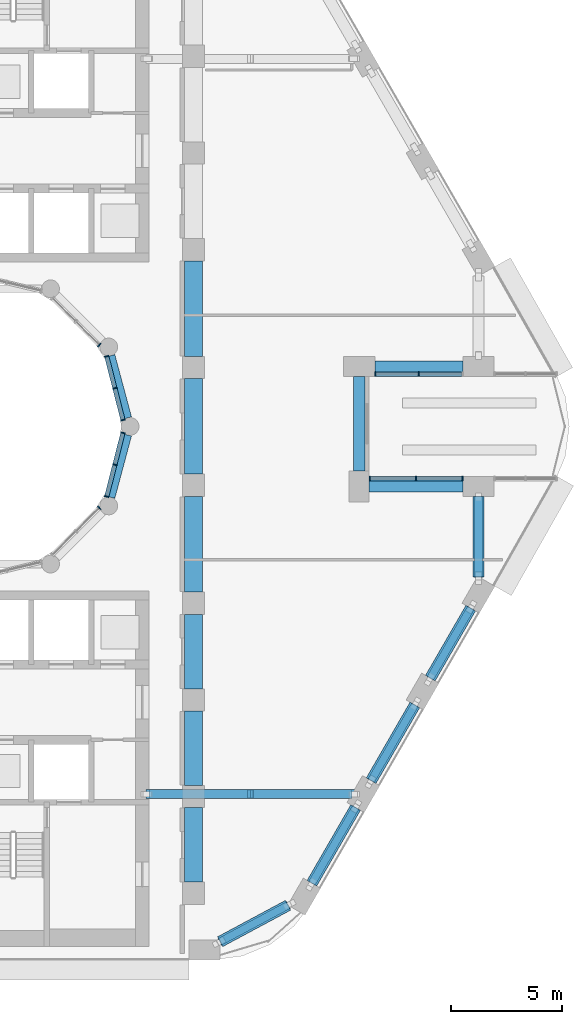
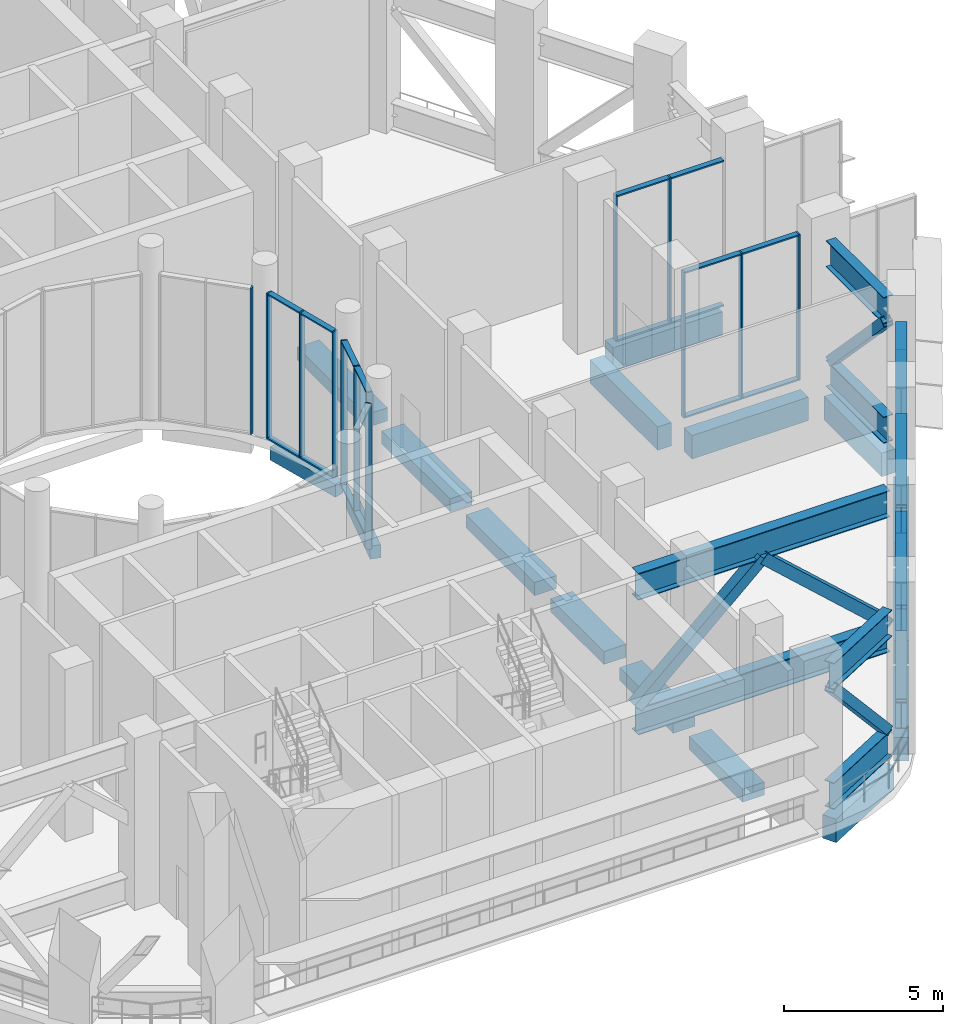
# One storey, part 4 of 21: 48 members, 16 beams, 6 elements without a shape of their own.
"""IFC4 building model written with IfcOpenShell, lengths in metres."""

from ifc_helpers import new_model, si_unit, direction, frame, origin, origin_2d, place, context, subcontext, project, spatial, rectangle, hollow_rectangle, i_section, extrude, material, layer, layer_set, material_profile, profile_set, type_object, element, aggregate, save


model = new_model("IFC4")

# Units and contexts
model_context = context("Model", 3, precision=1e-05, world=origin(), true_north=direction((0.0, 1.0)))
body_context = subcontext(model_context, "Body", "Model", "MODEL_VIEW")
ifc_project = project(units=[si_unit("LENGTHUNIT", "METRE"), si_unit("AREAUNIT", "SQUARE_METRE"), si_unit("VOLUMEUNIT", "CUBIC_METRE"), si_unit("PLANEANGLEUNIT", "RADIAN"), si_unit("MASSUNIT", "GRAM", prefix="KILO")], contexts=[model_context])

# Site, building, storey
site_placement = place(None, origin())
site = spatial("IfcSite", under=ifc_project, at=site_placement, CompositionType="ELEMENT")
building_placement = place(site_placement, origin())
building = spatial("IfcBuilding", under=site, at=building_placement, Name="Nakaniwa Court", CompositionType="ELEMENT")
storey_placement = place(building_placement, frame((0.0, 0.0, 120.60009765625)))
storey = spatial("IfcBuildingStorey", under=building, at=storey_placement, Name="S2", CompositionType="ELEMENT", Elevation=120.60009765625)

# Curtain wall, members
ifc_material_1 = material(Name="Black anodised aluminium frame with dark low-E laminated double glazing", Category="aluminium")
ifc_layer = layer(ifc_material_1, 0.199951171875)
ifc_layer_set = layer_set([ifc_layer], Name="Black anodised aluminium frame with dark low-E laminated double glazing")
curtain_wall_type = type_object("IfcCurtainWallType", Name="Amenity and sky level curtain wall", PredefinedType="NOTDEFINED", material=ifc_layer_set)
curtain_wall_1_placement = place(storey_placement, origin())
curtain_wall_1 = element("IfcCurtainWall", 1, at=curtain_wall_1_placement, inside=storey, type_object=curtain_wall_type, Name="S2 curtain wall CW3 36", PredefinedType="NOTDEFINED")
ifc_material_2 = material(Name="Black anodised aluminium extrusion", Category="aluminium")
ifc_material_profile_1 = material_profile(ifc_material_2, rectangle(XDim=0.199951171875, YDim=0.054931640625, at=origin_2d()), Name="Amenity and sky level curtain wall mullion 55x200")
ifc_profile_set_1 = profile_set([ifc_material_profile_1], Name="Black anodised aluminium extrusion")
member_type_1 = type_object("IfcMemberType", Name="Amenity and sky level curtain wall mullion 55x200", PredefinedType="MULLION", material=ifc_profile_set_1)
member_1_placement = place(storey_placement, frame((86.829345703125, 79.70947265625, 0.0), z_axis=(0.0, 0.0, 1.0), x_axis=(0.968986463302, -0.247113807661, 0.0)))
member_1 = element("IfcMember", 2, at=member_1_placement, type_object=member_type_1, Name="CW3 mullion 1", PredefinedType="MULLION", context=body_context, shape_type="SweptSolid", body=[
    extrude(rectangle(XDim=0.199951171875, YDim=0.054931640625, at=origin_2d()), origin(), (0.0, 0.0, 1.0), 5.58984375),
])
member_2_placement = place(storey_placement, frame((86.46435546875, 78.27783203125, 0.0), z_axis=(0.0, 0.0, 1.0), x_axis=(0.968986463302, -0.247113807661, 0.0)))
member_2 = element("IfcMember", 3, at=member_2_placement, type_object=member_type_1, Name="CW3 mullion 2", PredefinedType="MULLION", context=body_context, shape_type="SweptSolid", body=[
    extrude(rectangle(XDim=0.199951171875, YDim=0.054931640625, at=origin_2d()), origin(), (0.0, 0.0, 1.0), 5.58984375),
])
member_3_placement = place(storey_placement, frame((86.09912109375, 76.84619140625, 0.0), z_axis=(0.0, 0.0, 1.0), x_axis=(0.968986463302, -0.247113807661, 0.0)))
member_3 = element("IfcMember", 4, at=member_3_placement, type_object=member_type_1, Name="CW3 mullion 3", PredefinedType="MULLION", context=body_context, shape_type="SweptSolid", body=[
    extrude(rectangle(XDim=0.199951171875, YDim=0.054931640625, at=origin_2d()), origin(), (0.0, 0.0, 1.0), 5.58984375),
])

# Curtain wall, member
curtain_wall_2_placement = place(storey_placement, origin())
curtain_wall_2 = element("IfcCurtainWall", 5, at=curtain_wall_2_placement, inside=storey, type_object=curtain_wall_type, Name="S2 curtain wall CW3 37", PredefinedType="NOTDEFINED")
member_4_placement = place(storey_placement, frame((85.7685546875, 76.33740234375, 0.0), z_axis=(0.0, 0.0, 1.0), x_axis=(0.707106781187, -0.707106781187, 0.0)))
member_4 = element("IfcMember", 6, at=member_4_placement, type_object=member_type_1, Name="CW3 mullion 1", PredefinedType="MULLION", context=body_context, shape_type="SweptSolid", body=[
    extrude(rectangle(XDim=0.199951171875, YDim=0.054931640625, at=origin_2d()), origin(), (0.0, 0.0, 1.0), 5.58984375),
])
aggregate(curtain_wall_2, [member_4])

curtain_wall_3_placement = place(storey_placement, origin())
curtain_wall_3 = element("IfcCurtainWall", 7, at=curtain_wall_3_placement, inside=storey, type_object=curtain_wall_type, Name="S2 curtain wall CW3 46", PredefinedType="NOTDEFINED")
member_5_placement = place(storey_placement, frame((85.7685546875, 83.66259765625, 0.0), z_axis=(0.0, 0.0, 1.0), x_axis=(0.707106781187, 0.707106781187, 0.0)))
member_5 = element("IfcMember", 8, at=member_5_placement, type_object=member_type_1, Name="CW3 mullion 3", PredefinedType="MULLION", context=body_context, shape_type="SweptSolid", body=[
    extrude(rectangle(XDim=0.199951171875, YDim=0.054931640625, at=origin_2d()), origin(), (0.0, 0.0, 1.0), 5.58984375),
])
aggregate(curtain_wall_3, [member_5])

# Curtain wall, members
curtain_wall_4_placement = place(storey_placement, origin())
curtain_wall_4 = element("IfcCurtainWall", 9, at=curtain_wall_4_placement, inside=storey, type_object=curtain_wall_type, Name="S2 curtain wall CW3 47", PredefinedType="NOTDEFINED")
member_6_placement = place(storey_placement, frame((86.09912109375, 83.15380859375, 0.0), z_axis=(0.0, 0.0, 1.0), x_axis=(0.968986463302, 0.247113807661, 0.0)))
member_6 = element("IfcMember", 10, at=member_6_placement, type_object=member_type_1, Name="CW3 mullion 1", PredefinedType="MULLION", context=body_context, shape_type="SweptSolid", body=[
    extrude(rectangle(XDim=0.199951171875, YDim=0.054931640625, at=origin_2d()), origin(), (0.0, 0.0, 1.0), 5.58984375),
])
member_7_placement = place(storey_placement, frame((86.46435546875, 81.72216796875, 0.0), z_axis=(0.0, 0.0, 1.0), x_axis=(0.968986463302, 0.247113807661, 0.0)))
member_7 = element("IfcMember", 11, at=member_7_placement, type_object=member_type_1, Name="CW3 mullion 2", PredefinedType="MULLION", context=body_context, shape_type="SweptSolid", body=[
    extrude(rectangle(XDim=0.199951171875, YDim=0.054931640625, at=origin_2d()), origin(), (0.0, 0.0, 1.0), 5.58984375),
])
member_8_placement = place(storey_placement, frame((86.829345703125, 80.29052734375, 0.0), z_axis=(0.0, 0.0, 1.0), x_axis=(0.968986463302, 0.247113807661, 0.0)))
member_8 = element("IfcMember", 12, at=member_8_placement, type_object=member_type_1, Name="CW3 mullion 3", PredefinedType="MULLION", context=body_context, shape_type="SweptSolid", body=[
    extrude(rectangle(XDim=0.199951171875, YDim=0.054931640625, at=origin_2d()), origin(), (0.0, 0.0, 1.0), 5.58984375),
])

curtain_wall_5_placement = place(storey_placement, origin())
curtain_wall_5 = element("IfcCurtainWall", 13, at=curtain_wall_5_placement, inside=storey, type_object=curtain_wall_type, Name="S2 curtain wall CW3 00", PredefinedType="NOTDEFINED")
member_9_placement = place(storey_placement, frame((98.181884765625, 82.35009765625, 0.0), z_axis=(0.0, 0.0, 1.0), x_axis=(0.0, 1.0, 0.0)))
member_9 = element("IfcMember", 14, at=member_9_placement, type_object=member_type_1, Name="CW3 mullion 1", PredefinedType="MULLION", context=body_context, shape_type="SweptSolid", body=[
    extrude(rectangle(XDim=0.199951171875, YDim=0.054931640625, at=origin_2d()), origin(), (0.0, 0.0, 1.0), 5.58984375),
])
member_10_placement = place(storey_placement, frame((100.140625, 82.35009765625, 0.0), z_axis=(0.0, 0.0, 1.0), x_axis=(0.0, 1.0, 0.0)))
member_10 = element("IfcMember", 15, at=member_10_placement, type_object=member_type_1, Name="CW3 mullion 2", PredefinedType="MULLION", context=body_context, shape_type="SweptSolid", body=[
    extrude(rectangle(XDim=0.199951171875, YDim=0.054931640625, at=origin_2d()), origin(), (0.0, 0.0, 1.0), 5.58984375),
])

curtain_wall_6_placement = place(storey_placement, origin())
curtain_wall_6 = element("IfcCurtainWall", 16, at=curtain_wall_6_placement, inside=storey, type_object=curtain_wall_type, Name="S2 curtain wall CW3 34", PredefinedType="NOTDEFINED")
member_11_placement = place(storey_placement, frame((102.099365234375, 77.64990234375, 0.0), z_axis=(0.0, 0.0, 1.0), x_axis=(0.0, -1.0, 0.0)))
member_11 = element("IfcMember", 17, at=member_11_placement, type_object=member_type_1, Name="CW3 mullion 1", PredefinedType="MULLION", context=body_context, shape_type="SweptSolid", body=[
    extrude(rectangle(XDim=0.199951171875, YDim=0.054931640625, at=origin_2d()), origin(), (0.0, 0.0, 1.0), 5.58984375),
])
member_12_placement = place(storey_placement, frame((100.015625, 77.64990234375, 0.0), z_axis=(0.0, 0.0, 1.0), x_axis=(0.0, -1.0, 0.0)))
member_12 = element("IfcMember", 18, at=member_12_placement, type_object=member_type_1, Name="CW3 mullion 2", PredefinedType="MULLION", context=body_context, shape_type="SweptSolid", body=[
    extrude(rectangle(XDim=0.199951171875, YDim=0.054931640625, at=origin_2d()), origin(), (0.0, 0.0, 1.0), 5.58984375),
])
member_13_placement = place(storey_placement, frame((97.931884765625, 77.64990234375, 0.0), z_axis=(0.0, 0.0, 1.0), x_axis=(0.0, -1.0, 0.0)))
member_13 = element("IfcMember", 19, at=member_13_placement, type_object=member_type_1, Name="CW3 mullion 3", PredefinedType="MULLION", context=body_context, shape_type="SweptSolid", body=[
    extrude(rectangle(XDim=0.199951171875, YDim=0.054931640625, at=origin_2d()), origin(), (0.0, 0.0, 1.0), 5.58984375),
])

# Member
ifc_material_profile_2 = material_profile(ifc_material_2, rectangle(XDim=0.199951171875, YDim=0.054931640625, at=origin_2d()), Name="Amenity and sky level curtain wall transom 55x200")
ifc_profile_set_2 = profile_set([ifc_material_profile_2], Name="Black anodised aluminium extrusion")
member_type_2 = type_object("IfcMemberType", Name="Amenity and sky level curtain wall transom 55x200", PredefinedType="USERDEFINED", material=ifc_profile_set_2)
member_14_placement = place(storey_placement, frame((86.822509765625, 79.682861328125, 0.02734375), z_axis=(-0.24697526524, -0.969021784255, 0.0), x_axis=(0.969021784255, -0.24697526524, 0.0)))
member_14 = element("IfcMember", 20, at=member_14_placement, type_object=member_type_2, Name="CW3 transom 1.1", ObjectType="TRANSOM", PredefinedType="USERDEFINED", context=body_context, shape_type="SweptSolid", body=[
    extrude(rectangle(XDim=0.199951171875, YDim=0.054931640625, at=origin_2d()), origin(), (0.0, 0.0, 1.0), 1.42236328125),
])

member_15_placement = place(storey_placement, frame((86.822509765625, 79.682861328125, 5.5625), z_axis=(-0.24697526524, -0.969021784255, 0.0), x_axis=(0.969021784255, -0.24697526524, 0.0)))
member_15 = element("IfcMember", 21, at=member_15_placement, type_object=member_type_2, Name="CW3 transom 1.2", ObjectType="TRANSOM", PredefinedType="USERDEFINED", context=body_context, shape_type="SweptSolid", body=[
    extrude(rectangle(XDim=0.199951171875, YDim=0.054931640625, at=origin_2d()), origin(), (0.0, 0.0, 1.0), 1.42236328125),
])

member_16_placement = place(storey_placement, frame((86.45751953125, 78.251220703125, 0.02734375), z_axis=(-0.247136415914, -0.968980697398, 0.0), x_axis=(0.968980697398, -0.247136415914, 0.0)))
member_16 = element("IfcMember", 22, at=member_16_placement, type_object=member_type_2, Name="CW3 transom 2.1", ObjectType="TRANSOM", PredefinedType="USERDEFINED", context=body_context, shape_type="SweptSolid", body=[
    extrude(rectangle(XDim=0.199951171875, YDim=0.054931640625, at=origin_2d()), origin(), (0.0, 0.0, 1.0), 1.422607421875),
])

member_17_placement = place(storey_placement, frame((86.45751953125, 78.251220703125, 5.5625), z_axis=(-0.247136415914, -0.968980697398, 0.0), x_axis=(0.968980697398, -0.247136415914, 0.0)))
member_17 = element("IfcMember", 23, at=member_17_placement, type_object=member_type_2, Name="CW3 transom 2.2", ObjectType="TRANSOM", PredefinedType="USERDEFINED", context=body_context, shape_type="SweptSolid", body=[
    extrude(rectangle(XDim=0.199951171875, YDim=0.054931640625, at=origin_2d()), origin(), (0.0, 0.0, 1.0), 1.422607421875),
])

aggregate(curtain_wall_1, [member_1, member_2, member_3, member_14, member_15, member_16, member_17])

member_18_placement = place(storey_placement, frame((86.10595703125, 83.127197265625, 0.02734375), z_axis=(0.247136415914, -0.968980697398, 0.0), x_axis=(0.968980697398, 0.247136415914, 0.0)))
member_18 = element("IfcMember", 24, at=member_18_placement, type_object=member_type_2, Name="CW3 transom 1.1", ObjectType="TRANSOM", PredefinedType="USERDEFINED", context=body_context, shape_type="SweptSolid", body=[
    extrude(rectangle(XDim=0.199951171875, YDim=0.054931640625, at=origin_2d()), origin(), (0.0, 0.0, 1.0), 1.422607421875),
])

member_19_placement = place(storey_placement, frame((86.10595703125, 83.127197265625, 5.5625), z_axis=(0.247136415914, -0.968980697398, 0.0), x_axis=(0.968980697398, 0.247136415914, 0.0)))
member_19 = element("IfcMember", 25, at=member_19_placement, type_object=member_type_2, Name="CW3 transom 1.2", ObjectType="TRANSOM", PredefinedType="USERDEFINED", context=body_context, shape_type="SweptSolid", body=[
    extrude(rectangle(XDim=0.199951171875, YDim=0.054931640625, at=origin_2d()), origin(), (0.0, 0.0, 1.0), 1.422607421875),
])

member_20_placement = place(storey_placement, frame((86.47119140625, 81.695556640625, 0.02734375), z_axis=(0.24697526524, -0.969021784255, 0.0), x_axis=(0.969021784255, 0.24697526524, 0.0)))
member_20 = element("IfcMember", 26, at=member_20_placement, type_object=member_type_2, Name="CW3 transom 2.1", ObjectType="TRANSOM", PredefinedType="USERDEFINED", context=body_context, shape_type="SweptSolid", body=[
    extrude(rectangle(XDim=0.199951171875, YDim=0.054931640625, at=origin_2d()), origin(), (0.0, 0.0, 1.0), 1.42236328125),
])

member_21_placement = place(storey_placement, frame((86.47119140625, 81.695556640625, 5.5625), z_axis=(0.24697526524, -0.969021784255, 0.0), x_axis=(0.969021784255, 0.24697526524, 0.0)))
member_21 = element("IfcMember", 27, at=member_21_placement, type_object=member_type_2, Name="CW3 transom 2.2", ObjectType="TRANSOM", PredefinedType="USERDEFINED", context=body_context, shape_type="SweptSolid", body=[
    extrude(rectangle(XDim=0.199951171875, YDim=0.054931640625, at=origin_2d()), origin(), (0.0, 0.0, 1.0), 1.42236328125),
])

aggregate(curtain_wall_4, [member_6, member_7, member_8, member_18, member_19, member_20, member_21])

member_22_placement = place(storey_placement, frame((98.20947265625, 82.35009765625, 0.02734375), z_axis=(1.0, 0.0, 0.0), x_axis=(0.0, 1.0, 0.0)))
member_22 = element("IfcMember", 28, at=member_22_placement, type_object=member_type_2, Name="CW3 transom 1.1", ObjectType="TRANSOM", PredefinedType="USERDEFINED", context=body_context, shape_type="SweptSolid", body=[
    extrude(rectangle(XDim=0.199951171875, YDim=0.054931640625, at=origin_2d()), origin(), (0.0, 0.0, 1.0), 1.903564453125),
])

member_23_placement = place(storey_placement, frame((98.20947265625, 82.35009765625, 5.5625), z_axis=(1.0, 0.0, 0.0), x_axis=(0.0, 1.0, 0.0)))
member_23 = element("IfcMember", 29, at=member_23_placement, type_object=member_type_2, Name="CW3 transom 1.2", ObjectType="TRANSOM", PredefinedType="USERDEFINED", context=body_context, shape_type="SweptSolid", body=[
    extrude(rectangle(XDim=0.199951171875, YDim=0.054931640625, at=origin_2d()), origin(), (0.0, 0.0, 1.0), 1.903564453125),
])

member_24_placement = place(storey_placement, frame((100.168212890625, 82.35009765625, 0.02734375), z_axis=(1.0, 0.0, 0.0), x_axis=(0.0, 1.0, 0.0)))
member_24 = element("IfcMember", 30, at=member_24_placement, type_object=member_type_2, Name="CW3 transom 2.1", ObjectType="TRANSOM", PredefinedType="USERDEFINED", context=body_context, shape_type="SweptSolid", body=[
    extrude(rectangle(XDim=0.199951171875, YDim=0.054931640625, at=origin_2d()), origin(), (0.0, 0.0, 1.0), 1.90380859375),
])

member_25_placement = place(storey_placement, frame((100.168212890625, 82.35009765625, 5.5625), z_axis=(1.0, 0.0, 0.0), x_axis=(0.0, 1.0, 0.0)))
member_25 = element("IfcMember", 31, at=member_25_placement, type_object=member_type_2, Name="CW3 transom 2.2", ObjectType="TRANSOM", PredefinedType="USERDEFINED", context=body_context, shape_type="SweptSolid", body=[
    extrude(rectangle(XDim=0.199951171875, YDim=0.054931640625, at=origin_2d()), origin(), (0.0, 0.0, 1.0), 1.90380859375),
])

aggregate(curtain_wall_5, [member_9, member_10, member_22, member_23, member_24, member_25])

member_26_placement = place(storey_placement, frame((102.072021484375, 77.64990234375, 0.02734375), z_axis=(-1.0, 0.0, 0.0), x_axis=(0.0, -1.0, 0.0)))
member_26 = element("IfcMember", 32, at=member_26_placement, type_object=member_type_2, Name="CW3 transom 1.1", ObjectType="TRANSOM", PredefinedType="USERDEFINED", context=body_context, shape_type="SweptSolid", body=[
    extrude(rectangle(XDim=0.199951171875, YDim=0.054931640625, at=origin_2d()), origin(), (0.0, 0.0, 1.0), 2.02880859375),
])

member_27_placement = place(storey_placement, frame((102.072021484375, 77.64990234375, 5.5625), z_axis=(-1.0, 0.0, 0.0), x_axis=(0.0, -1.0, 0.0)))
member_27 = element("IfcMember", 33, at=member_27_placement, type_object=member_type_2, Name="CW3 transom 1.2", ObjectType="TRANSOM", PredefinedType="USERDEFINED", context=body_context, shape_type="SweptSolid", body=[
    extrude(rectangle(XDim=0.199951171875, YDim=0.054931640625, at=origin_2d()), origin(), (0.0, 0.0, 1.0), 2.02880859375),
])

member_28_placement = place(storey_placement, frame((99.988037109375, 77.64990234375, 0.02734375), z_axis=(-1.0, 0.0, 0.0), x_axis=(0.0, -1.0, 0.0)))
member_28 = element("IfcMember", 34, at=member_28_placement, type_object=member_type_2, Name="CW3 transom 2.1", ObjectType="TRANSOM", PredefinedType="USERDEFINED", context=body_context, shape_type="SweptSolid", body=[
    extrude(rectangle(XDim=0.199951171875, YDim=0.054931640625, at=origin_2d()), origin(), (0.0, 0.0, 1.0), 2.028564453125),
])

member_29_placement = place(storey_placement, frame((99.988037109375, 77.64990234375, 5.5625), z_axis=(-1.0, 0.0, 0.0), x_axis=(0.0, -1.0, 0.0)))
member_29 = element("IfcMember", 35, at=member_29_placement, type_object=member_type_2, Name="CW3 transom 2.2", ObjectType="TRANSOM", PredefinedType="USERDEFINED", context=body_context, shape_type="SweptSolid", body=[
    extrude(rectangle(XDim=0.199951171875, YDim=0.054931640625, at=origin_2d()), origin(), (0.0, 0.0, 1.0), 2.028564453125),
])

aggregate(curtain_wall_6, [member_11, member_12, member_13, member_26, member_27, member_28, member_29])

# Members
ifc_material_3 = material(Name="Steel Grade 350", Category="steel")
ifc_material_profile_3 = material_profile(ifc_material_3, i_section(OverallWidth=0.35009765625, OverallDepth=1.010009765625, WebThickness=0.01611328125, FlangeThickness=0.02490234375, at=origin_2d()), Name="1000WB258")
ifc_profile_set_3 = profile_set([ifc_material_profile_3], Name="Steel Grade 350")
member_type_3 = type_object("IfcMemberType", Name="BELT chord 1000 WB258", PredefinedType="CHORD", material=ifc_profile_set_3)
for number, where, z_axis, x_axis, name in (
    (36, (91.20703125, 56.825439453125, 0.5048828125), (0.881233381314, 0.472681423009, 0.0), (-0.472681423009, 0.881233381314, 0.0), "BELT CHORD BT-12-B"),
    (37, (91.20703125, 56.825439453125, 5.0849609375), (0.881233381314, 0.472681423009, 0.0), (-0.472681423009, 0.881233381314, 0.0), "BELT CHORD BT-12-T"),
):
    element("IfcMember", number, at=place(storey_placement, frame(where, z_axis=z_axis, x_axis=x_axis)), inside=storey, type_object=member_type_3, Name=name, PredefinedType="CHORD", context=body_context, shape_type="SweptSolid", body=[
        extrude(i_section(OverallWidth=0.35009765625, OverallDepth=1.010009765625, WebThickness=0.01611328125, FlangeThickness=0.02490234375, at=origin_2d()), origin(), (0.0, 0.0, 1.0), 3.46044921875),
    ])
for number, where, z_axis, x_axis, name in (
    (38, (95.33251953125, 59.456787109375, 0.5048828125), (0.49999161165, 0.866030246746, 0.0), (-0.866030246746, 0.49999161165, 0.0), "BELT CHORD BT-13-B"),
    (39, (95.33251953125, 59.456787109375, 5.0849609375), (0.49999161165, 0.866030246746, 0.0), (-0.866030246746, 0.49999161165, 0.0), "BELT CHORD BT-13-T"),
    (40, (97.99560546875, 64.069091796875, 0.5048828125), (0.49999161165, 0.866030246746, 0.0), (-0.866030246746, 0.49999161165, 0.0), "BELT CHORD BT-14-B"),
    (41, (97.99560546875, 64.069091796875, 5.0849609375), (0.49999161165, 0.866030246746, 0.0), (-0.866030246746, 0.49999161165, 0.0), "BELT CHORD BT-14-T"),
):
    element("IfcMember", number, at=place(storey_placement, frame(where, z_axis=z_axis, x_axis=x_axis)), inside=storey, type_object=member_type_3, Name=name, PredefinedType="CHORD", context=body_context, shape_type="SweptSolid", body=[
        extrude(i_section(OverallWidth=0.35009765625, OverallDepth=1.010009765625, WebThickness=0.01611328125, FlangeThickness=0.02490234375, at=origin_2d()), origin(), (0.0, 0.0, 1.0), 3.92578125),
    ])
for number, where, z_axis, x_axis, name in (
    (42, (100.658447265625, 68.681396484375, 0.5048828125), (0.499988394233, 0.866032104273, 0.0), (-0.866032104273, 0.499988394233, 0.0), "BELT CHORD BT-15-B"),
    (43, (100.658447265625, 68.681396484375, 5.0849609375), (0.499988394233, 0.866032104273, 0.0), (-0.866032104273, 0.499988394233, 0.0), "BELT CHORD BT-15-T"),
):
    element("IfcMember", number, at=place(storey_placement, frame(where, z_axis=z_axis, x_axis=x_axis)), inside=storey, type_object=member_type_3, Name=name, PredefinedType="CHORD", context=body_context, shape_type="SweptSolid", body=[
        extrude(i_section(OverallWidth=0.35009765625, OverallDepth=1.010009765625, WebThickness=0.01611328125, FlangeThickness=0.02490234375, at=origin_2d()), origin(), (0.0, 0.0, 1.0), 3.62890625),
    ])
for number, where, z_axis, x_axis, name in (
    (44, (102.822998046875, 73.238525390625, 0.5048828125), (0.0, 1.0, 0.0), (-1.0, 0.0, 0.0), "BELT CHORD BT-16-B"),
    (45, (102.822998046875, 73.238525390625, 5.0849609375), (0.0, 1.0, 0.0), (-1.0, 0.0, 0.0), "BELT CHORD BT-16-T"),
):
    element("IfcMember", number, at=place(storey_placement, frame(where, z_axis=z_axis, x_axis=x_axis)), inside=storey, type_object=member_type_3, Name=name, PredefinedType="CHORD", context=body_context, shape_type="SweptSolid", body=[
        extrude(i_section(OverallWidth=0.35009765625, OverallDepth=1.010009765625, WebThickness=0.01611328125, FlangeThickness=0.02490234375, at=origin_2d()), origin(), (0.0, 0.0, 1.0), 3.611572265625),
    ])
ifc_material_profile_4 = material_profile(ifc_material_3, hollow_rectangle(XDim=0.35009765625, YDim=0.35009765625, WallThickness=0.01611328125, at=origin_2d()), Name="BELT diagonal 350x350x16 SHS")
ifc_profile_set_4 = profile_set([ifc_material_profile_4], Name="Steel Grade 350")
member_type_4 = type_object("IfcMemberType", Name="BELT diagonal 350x350x16 SHS", PredefinedType="BRACE", material=ifc_profile_set_4)
member_30_placement = place(storey_placement, frame((91.295166015625, 56.872802734375, 4.579833984375), z_axis=(0.594330942833, 0.318777505701, -0.738343844188), x_axis=(-0.472665982886, 0.881241663009, 0.0)))
element("IfcMember", 46, at=member_30_placement, inside=storey, type_object=member_type_4, Name="BELT DIAGONAL BT-12-D", PredefinedType="BRACE", context=body_context, shape_type="SweptSolid", body=[
    extrude(hollow_rectangle(XDim=0.35009765625, YDim=0.35009765625, WallThickness=0.01611328125, at=origin_2d()), origin(), (0.0, 0.0, 1.0), 4.8349609375),
])
for number, where, z_axis, x_axis, name in (
    (47, (95.382568359375, 59.543212890625, 1.010009765625), (0.361045341506, 0.62533564129, 0.691810376556), (-0.866020821829, 0.500007936096, 0.0), "BELT DIAGONAL BT-13-D"),
    (48, (98.04541015625, 64.15576171875, 4.579833984375), (0.361045341506, 0.62533564129, -0.691810376556), (-0.866020821829, 0.500007936096, 0.0), "BELT DIAGONAL BT-14-D"),
):
    element("IfcMember", number, at=place(storey_placement, frame(where, z_axis=z_axis, x_axis=x_axis)), inside=storey, type_object=member_type_4, Name=name, PredefinedType="BRACE", context=body_context, shape_type="SweptSolid", body=[
        extrude(hollow_rectangle(XDim=0.35009765625, YDim=0.35009765625, WallThickness=0.01611328125, at=origin_2d()), origin(), (0.0, 0.0, 1.0), 5.16015625),
    ])
member_31_placement = place(storey_placement, frame((100.70849609375, 68.76806640625, 1.010009765625), z_axis=(0.346348676285, 0.599920101062, 0.721206258138), x_axis=(-0.866035002231, 0.499983374634, 0.0)))
element("IfcMember", 49, at=member_31_placement, inside=storey, type_object=member_type_4, Name="BELT DIAGONAL BT-15-D", PredefinedType="BRACE", context=body_context, shape_type="SweptSolid", body=[
    extrude(hollow_rectangle(XDim=0.35009765625, YDim=0.35009765625, WallThickness=0.01611328125, at=origin_2d()), origin(), (0.0, 0.0, 1.0), 4.94970703125),
])
member_32_placement = place(storey_placement, frame((102.822998046875, 73.338623046875, 4.579833984375), z_axis=(0.0, 0.690880170315, -0.722969287221), x_axis=(-1.0, 0.0, 0.0)))
element("IfcMember", 50, at=member_32_placement, inside=storey, type_object=member_type_4, Name="BELT DIAGONAL BT-16-D", PredefinedType="BRACE", context=body_context, shape_type="SweptSolid", body=[
    extrude(hollow_rectangle(XDim=0.35009765625, YDim=0.35009765625, WallThickness=0.01611328125, at=origin_2d()), origin(), (0.0, 0.0, 1.0), 4.937744140625),
])

# Beams
ifc_material_4 = material(Name="Concrete C80/100", Category="concrete")
ifc_material_profile_5 = material_profile(ifc_material_4, rectangle(XDim=0.35009765625, YDim=0.5, at=origin_2d()), Name="Concrete C80/100 RC 350x500 ring beam")
ifc_profile_set_5 = profile_set([ifc_material_profile_5], Name="Concrete C80/100")
beam_type_1 = type_object("IfcBeamType", Name="Concrete C80/100 RC 350x500 ring beam", PredefinedType="BEAM", material=ifc_profile_set_5)
for number, where, z_axis, x_axis, name in (
    (51, (87.04638671875, 80.386474609375, -0.60009765625), (-0.258778150207, 0.965936783115, 0.0), (-0.965936783115, -0.258778150207, 0.0), "RING BEAM"),
    (52, (86.295654296875, 76.811279296875, -0.60009765625), (0.258778150207, 0.965936783115, 0.0), (-0.965936783115, 0.258778150207, 0.0), "RING BEAM"),
):
    element("IfcBeam", number, at=place(storey_placement, frame(where, z_axis=z_axis, x_axis=x_axis)), inside=storey, type_object=beam_type_1, Name=name, PredefinedType="BEAM", context=body_context, shape_type="SweptSolid", body=[
        extrude(rectangle(XDim=0.35009765625, YDim=0.5, at=origin_2d()), origin(), (0.0, 0.0, 1.0), 2.901123046875),
    ])
ifc_material_profile_6 = material_profile(ifc_material_4, rectangle(XDim=0.5, YDim=0.89990234375, at=origin_2d()), Name="Concrete C80/100 RC 500x900 spandrel beam")
ifc_profile_set_6 = profile_set([ifc_material_profile_6], Name="Concrete C80/100")
beam_type_2 = type_object("IfcBeamType", Name="Concrete C80/100 RC 500x900 spandrel beam", PredefinedType="BEAM", material=ifc_profile_set_6)
beam_1_placement = place(storey_placement, frame((91.20703125, 56.825439453125, -0.800048828125), z_axis=(0.881233381314, 0.472681423009, 0.0), x_axis=(-0.472681423009, 0.881233381314, 0.0)))
element("IfcBeam", 53, at=beam_1_placement, inside=storey, type_object=beam_type_2, Name="SPANDREL BEAM", PredefinedType="BEAM", context=body_context, shape_type="SweptSolid", body=[
    extrude(rectangle(XDim=0.5, YDim=0.89990234375, at=origin_2d()), origin(), (0.0, 0.0, 1.0), 3.46044921875),
])
for number, where, z_axis, x_axis, name in (
    (54, (95.33251953125, 59.456787109375, -0.800048828125), (0.49999161165, 0.866030246746, 0.0), (-0.866030246746, 0.49999161165, 0.0), "SPANDREL BEAM"),
    (55, (97.99560546875, 64.069091796875, -0.800048828125), (0.49999161165, 0.866030246746, 0.0), (-0.866030246746, 0.49999161165, 0.0), "SPANDREL BEAM"),
):
    element("IfcBeam", number, at=place(storey_placement, frame(where, z_axis=z_axis, x_axis=x_axis)), inside=storey, type_object=beam_type_2, Name=name, PredefinedType="BEAM", context=body_context, shape_type="SweptSolid", body=[
        extrude(rectangle(XDim=0.5, YDim=0.89990234375, at=origin_2d()), origin(), (0.0, 0.0, 1.0), 3.92578125),
    ])
beam_2_placement = place(storey_placement, frame((100.658447265625, 68.681396484375, -0.800048828125), z_axis=(0.499988394233, 0.866032104273, 0.0), x_axis=(-0.866032104273, 0.499988394233, 0.0)))
element("IfcBeam", 56, at=beam_2_placement, inside=storey, type_object=beam_type_2, Name="SPANDREL BEAM", PredefinedType="BEAM", context=body_context, shape_type="SweptSolid", body=[
    extrude(rectangle(XDim=0.5, YDim=0.89990234375, at=origin_2d()), origin(), (0.0, 0.0, 1.0), 3.62890625),
])
beam_3_placement = place(storey_placement, frame((102.822998046875, 73.238525390625, -0.800048828125), z_axis=(0.0, 1.0, 0.0), x_axis=(-1.0, 0.0, 0.0)))
element("IfcBeam", 57, at=beam_3_placement, inside=storey, type_object=beam_type_2, Name="SPANDREL BEAM", PredefinedType="BEAM", context=body_context, shape_type="SweptSolid", body=[
    extrude(rectangle(XDim=0.5, YDim=0.89990234375, at=origin_2d()), origin(), (0.0, 0.0, 1.0), 3.611572265625),
])
beam_4_placement = place(storey_placement, frame((102.122802734375, 77.300048828125, -0.800048828125), z_axis=(-1.0, 0.0, 0.0), x_axis=(0.0, -1.0, 0.0)))
element("IfcBeam", 58, at=beam_4_placement, inside=storey, type_object=beam_type_2, Name="SPANDREL BEAM", PredefinedType="BEAM", context=body_context, shape_type="SweptSolid", body=[
    extrude(rectangle(XDim=0.5, YDim=0.89990234375, at=origin_2d()), origin(), (0.0, 0.0, 1.0), 4.21435546875),
])
beam_5_placement = place(storey_placement, frame((97.45849609375, 78.0, -0.800048828125), z_axis=(0.0, 1.0, 0.0), x_axis=(-1.0, 0.0, 0.0)))
element("IfcBeam", 59, at=beam_5_placement, inside=storey, type_object=beam_type_2, Name="SPANDREL BEAM", PredefinedType="BEAM", context=body_context, shape_type="SweptSolid", body=[
    extrude(rectangle(XDim=0.5, YDim=0.89990234375, at=origin_2d()), origin(), (0.0, 0.0, 1.0), 4.25),
])
beam_6_placement = place(storey_placement, frame((98.158447265625, 82.699951171875, -0.800048828125), z_axis=(1.0, 0.0, 0.0), x_axis=(0.0, 1.0, 0.0)))
element("IfcBeam", 60, at=beam_6_placement, inside=storey, type_object=beam_type_2, Name="SPANDREL BEAM", PredefinedType="BEAM", context=body_context, shape_type="SweptSolid", body=[
    extrude(rectangle(XDim=0.5, YDim=0.89990234375, at=origin_2d()), origin(), (0.0, 0.0, 1.0), 3.96435546875),
])
ifc_material_profile_7 = material_profile(ifc_material_4, rectangle(XDim=0.800048828125, YDim=0.5, at=origin_2d()), Name="Concrete C80/100 RC 800x500 ring beam")
ifc_profile_set_7 = profile_set([ifc_material_profile_7], Name="Concrete C80/100")
beam_type_3 = type_object("IfcBeamType", Name="Concrete C80/100 RC 800x500 ring beam", PredefinedType="BEAM", material=ifc_profile_set_7)
beam_7_placement = place(storey_placement, frame((90.0, 59.5, -0.60009765625), z_axis=(0.0, 1.0, 0.0), x_axis=(-1.0, 0.0, 0.0)))
element("IfcBeam", 61, at=beam_7_placement, inside=storey, type_object=beam_type_3, Name="RING BEAM", PredefinedType="BEAM", context=body_context, shape_type="SweptSolid", body=[
    extrude(rectangle(XDim=0.800048828125, YDim=0.5, at=origin_2d()), origin(), (0.0, 0.0, 1.0), 3.35009765625),
])
beam_8_placement = place(storey_placement, frame((90.0, 63.85009765625, -0.60009765625), z_axis=(0.0, 1.0, 0.0), x_axis=(-1.0, 0.0, 0.0)))
element("IfcBeam", 62, at=beam_8_placement, inside=storey, type_object=beam_type_3, Name="RING BEAM", PredefinedType="BEAM", context=body_context, shape_type="SweptSolid", body=[
    extrude(rectangle(XDim=0.800048828125, YDim=0.5, at=origin_2d()), origin(), (0.0, 0.0, 1.0), 3.349853515625),
])
beam_9_placement = place(storey_placement, frame((90.0, 68.199951171875, -0.60009765625), z_axis=(0.0, 1.0, 0.0), x_axis=(-1.0, 0.0, 0.0)))
element("IfcBeam", 63, at=beam_9_placement, inside=storey, type_object=beam_type_3, Name="RING BEAM", PredefinedType="BEAM", context=body_context, shape_type="SweptSolid", body=[
    extrude(rectangle(XDim=0.800048828125, YDim=0.5, at=origin_2d()), origin(), (0.0, 0.0, 1.0), 3.35009765625),
])
beam_10_placement = place(storey_placement, frame((90.0, 72.550048828125, -0.60009765625), z_axis=(0.0, 1.0, 0.0), x_axis=(-1.0, 0.0, 0.0)))
element("IfcBeam", 64, at=beam_10_placement, inside=storey, type_object=beam_type_3, Name="RING BEAM", PredefinedType="BEAM", context=body_context, shape_type="SweptSolid", body=[
    extrude(rectangle(XDim=0.800048828125, YDim=0.5, at=origin_2d()), origin(), (0.0, 0.0, 1.0), 4.300048828125),
])
beam_11_placement = place(storey_placement, frame((90.0, 77.85009765625, -0.60009765625), z_axis=(0.0, 1.0, 0.0), x_axis=(-1.0, 0.0, 0.0)))
element("IfcBeam", 65, at=beam_11_placement, inside=storey, type_object=beam_type_3, Name="RING BEAM", PredefinedType="BEAM", context=body_context, shape_type="SweptSolid", body=[
    extrude(rectangle(XDim=0.800048828125, YDim=0.5, at=origin_2d()), origin(), (0.0, 0.0, 1.0), 4.2998046875),
])
beam_12_placement = place(storey_placement, frame((90.0, 83.14990234375, -0.60009765625), z_axis=(0.0, 1.0, 0.0), x_axis=(-1.0, 0.0, 0.0)))
element("IfcBeam", 66, at=beam_12_placement, inside=storey, type_object=beam_type_3, Name="RING BEAM", PredefinedType="BEAM", context=body_context, shape_type="SweptSolid", body=[
    extrude(rectangle(XDim=0.800048828125, YDim=0.5, at=origin_2d()), origin(), (0.0, 0.0, 1.0), 4.300048828125),
])

# Members
ifc_material_profile_8 = material_profile(ifc_material_3, i_section(OverallWidth=0.39990234375, OverallDepth=1.02392578125, WebThickness=0.01611328125, FlangeThickness=0.031982421875, at=origin_2d()), Name="1000WB322")
ifc_profile_set_8 = profile_set([ifc_material_profile_8], Name="Steel Grade 350")
member_type_5 = type_object("IfcMemberType", Name="OUTRIGGER chord 1000 WB322", PredefinedType="CHORD", material=ifc_profile_set_8)
for number, where, z_axis, x_axis, name in (
    (67, (88.0, 63.462890625, 0.511962890625), (1.0, 0.0, 0.0), (0.0, 1.0, 0.0), "OUTRIGGER CHORD OT-03-B"),
    (68, (88.0, 63.462890625, 5.677978515625), (1.0, 0.0, 0.0), (0.0, 1.0, 0.0), "OUTRIGGER CHORD OT-03-T"),
):
    element("IfcMember", number, at=place(storey_placement, frame(where, z_axis=z_axis, x_axis=x_axis)), inside=storey, type_object=member_type_5, Name=name, PredefinedType="CHORD", context=body_context, shape_type="SweptSolid", body=[
        extrude(i_section(OverallWidth=0.39990234375, OverallDepth=1.02392578125, WebThickness=0.01611328125, FlangeThickness=0.031982421875, at=origin_2d()), origin(), (0.0, 0.0, 1.0), 9.1259765625),
    ])
ifc_material_profile_9 = material_profile(ifc_material_3, hollow_rectangle(XDim=0.39990234375, YDim=0.39990234375, WallThickness=0.01611328125, at=origin_2d()), Name="OUTRIGGER diagonal 400x400x16 SHS")
ifc_profile_set_9 = profile_set([ifc_material_profile_9], Name="Steel Grade 350")
member_type_6 = type_object("IfcMemberType", Name="OUTRIGGER diagonal 400x400x16 SHS", PredefinedType="BRACE", material=ifc_profile_set_9)
for number, where, z_axis, x_axis, name in (
    (69, (88.0, 63.462890625, 1.02392578125), (0.740431048151, 0.0, 0.672132325464), (0.0, 1.0, 0.0), "OUTRIGGER DIAGONAL OT-03-D1"),
    (70, (92.56298828125, 63.462890625, 5.166015625), (0.740431048151, 0.0, -0.672132325464), (0.0, 1.0, 0.0), "OUTRIGGER DIAGONAL OT-03-D2"),
):
    element("IfcMember", number, at=place(storey_placement, frame(where, z_axis=z_axis, x_axis=x_axis)), inside=storey, type_object=member_type_6, Name=name, PredefinedType="BRACE", context=body_context, shape_type="SweptSolid", body=[
        extrude(hollow_rectangle(XDim=0.39990234375, YDim=0.39990234375, WallThickness=0.01611328125, at=origin_2d()), origin(), (0.0, 0.0, 1.0), 6.16259765625),
    ])

save(model, "model.ifc")
